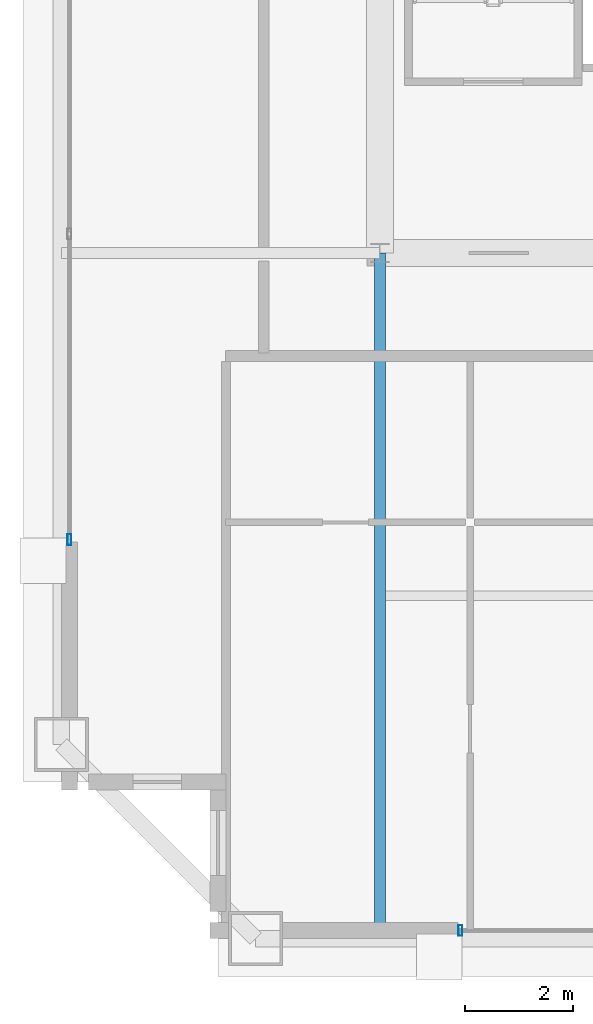
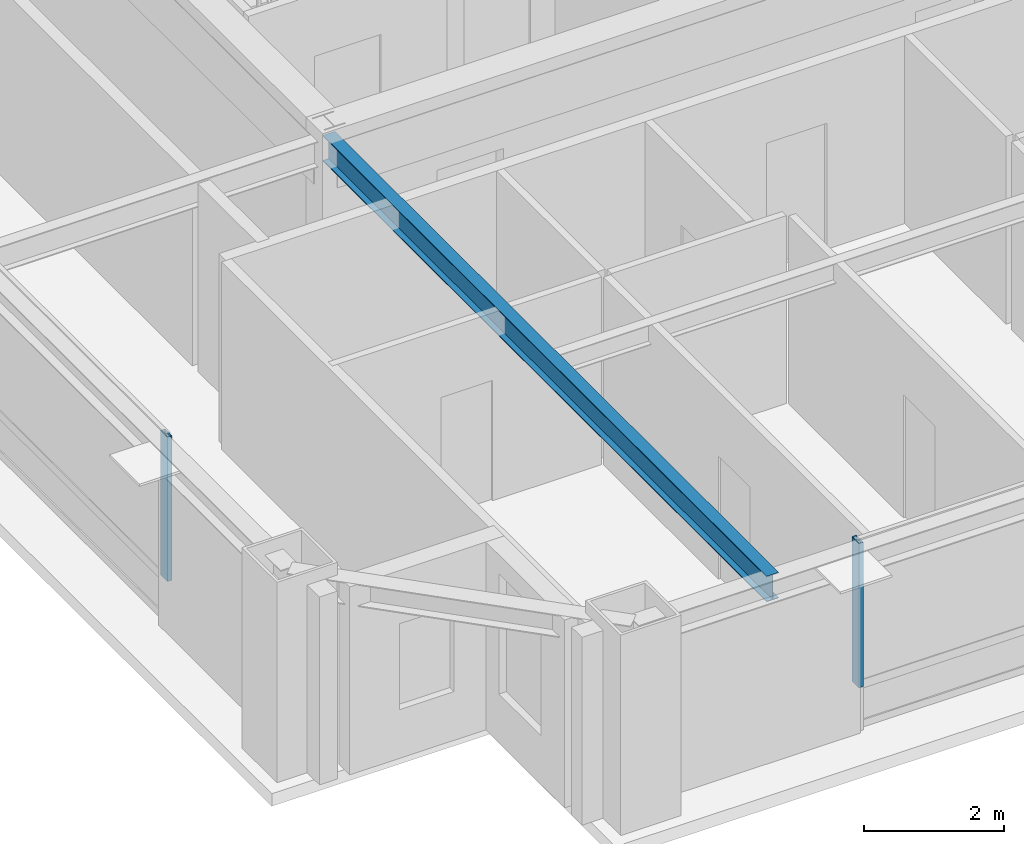
# One storey, part 4 of 35: 2 members, 1 beam, 2 elements without a shape of their own.
"""IFC4 building model written with IfcOpenShell, lengths in metres."""

from ifc_helpers import new_model, si_unit, direction, frame, origin, origin_2d, place, context, subcontext, project, spatial, hollow_rectangle, i_section, extrude, source, transform, mapped, material, layer, layer_set, material_profile, profile_set, type_object, element, aggregate, save


model = new_model("IFC4")

# Units and contexts
model_context = context("Model", 3, precision=1e-05, world=origin(), true_north=direction((0.0, 1.0)))
body_context = subcontext(model_context, "Body", "Model", "MODEL_VIEW")
ifc_project = project(units=[si_unit("LENGTHUNIT", "METRE"), si_unit("AREAUNIT", "SQUARE_METRE"), si_unit("VOLUMEUNIT", "CUBIC_METRE"), si_unit("PLANEANGLEUNIT", "RADIAN"), si_unit("MASSUNIT", "GRAM", prefix="KILO"), si_unit("THERMODYNAMICTEMPERATUREUNIT", "KELVIN"), si_unit("POWERUNIT", "WATT")], contexts=[model_context])

# Site, building, storey
site_placement = place(None, origin())
site = spatial("IfcSite", under=ifc_project, at=site_placement, CompositionType="ELEMENT")
building_placement = place(site_placement, origin())
building = spatial("IfcBuilding", under=site, at=building_placement, Name="Yuzanri Waterfront Tower", CompositionType="ELEMENT")
storey_placement = place(building_placement, frame((0.0, 0.0, 296.10009765625)))
storey = spatial("IfcBuildingStorey", under=building, at=storey_placement, Name="L79", CompositionType="ELEMENT", Elevation=296.10009765625)

# Beam
ifc_material_1 = material(Name="Steel Q355B", Category="steel")
ifc_material_profile_1 = material_profile(ifc_material_1, i_section(OverallWidth=0.199951171875, OverallDepth=0.449951171875, WebThickness=0.009033203125, FlangeThickness=0.013916015625, at=origin_2d()), Name="HN 450x200x9x14")
ifc_profile_set_1 = profile_set([ifc_material_profile_1], Name="Steel Q355B")
beam_type = type_object("IfcBeamType", Name="Secondary Floor Beam Q355B HN 450x200", PredefinedType="BEAM", material=ifc_profile_set_1)
shared_shape_1 = source(origin(), body_context, "Body", "SweptSolid", [
    extrude(i_section(OverallWidth=0.199951171875, OverallDepth=0.449951171875, WebThickness=0.009033203125, FlangeThickness=0.013916015625, at=origin_2d()), origin(), (0.0, 0.0, 1.0), 12.699951171875),
])
beam_placement = place(storey_placement, frame((23.800048828125, 19.39990234375, 3.054931640625), z_axis=(0.0, -1.0, 0.0), x_axis=(1.0, 0.0, 0.0)))
element("IfcBeam", 1, at=beam_placement, inside=storey, type_object=beam_type, Name="L79 South-West Core Line Beam", PredefinedType="BEAM", context=body_context, shape_type="MappedRepresentation", body=[
    mapped(shared_shape_1, transform((0.0, 0.0, 0.0), scale=1.0)),
])

# Curtain wall, member
ifc_material_2 = material(Name="Anodized Architectural Bronze", Category="metal")
ifc_layer = layer(ifc_material_2, 0.159912109375)
ifc_layer_set = layer_set([ifc_layer], Name="Anodized Architectural Bronze")
curtain_wall_type = type_object("IfcCurtainWallType", Name="Anodized Bronze High-Rise Penthouse High-Wind Unitized Curtain Wall 6900", PredefinedType="NOTDEFINED", material=ifc_layer_set)
curtain_wall_1_placement = place(storey_placement, origin())
curtain_wall_1 = element("IfcCurtainWall", 2, at=curtain_wall_1_placement, inside=storey, type_object=curtain_wall_type, Name="L79 Curtain Wall CW-L79-SL", PredefinedType="NOTDEFINED")
ifc_material_3 = material(Name="Anodized Architectural Bronze", Category="metal")
ifc_material_profile_2 = material_profile(ifc_material_3, hollow_rectangle(XDim=0.074951171875, YDim=0.199951171875, WallThickness=0.00390625, at=origin_2d()), Name="CWM 75x200")
ifc_profile_set_2 = profile_set([ifc_material_profile_2], Name="Anodized Architectural Bronze")
member_type = type_object("IfcMemberType", Name="Anodized Bronze Primary Curtain-Wall Mullion 75x200", PredefinedType="MULLION", material=ifc_profile_set_2)
shared_shape_2 = source(origin(), body_context, "Body", "SweptSolid", [
    extrude(hollow_rectangle(XDim=0.074951171875, YDim=0.199951171875, WallThickness=0.00390625, at=origin_2d()), origin(), (0.0, 0.0, 1.0), 2.52392578125),
])
member_1_placement = place(storey_placement, frame((25.2900390625, 6.85009765625, 0.755859375), z_axis=(0.0, 0.0, 1.0), x_axis=(1.0, 0.0, 0.0)))
member_1 = element("IfcMember", 3, at=member_1_placement, type_object=member_type, Name="CW-L79-SL Upper Mullion 00", PredefinedType="MULLION", context=body_context, shape_type="MappedRepresentation", body=[
    mapped(shared_shape_2, transform((0.0, 0.0, 0.0), scale=1.0)),
])
aggregate(curtain_wall_1, [member_1])

curtain_wall_2_placement = place(storey_placement, origin())
curtain_wall_2 = element("IfcCurtainWall", 4, at=curtain_wall_2_placement, inside=storey, type_object=curtain_wall_type, Name="L79 Curtain Wall CW-L79-WL", PredefinedType="NOTDEFINED")
member_2_placement = place(storey_placement, frame((18.050048828125, 14.090087890625, 0.755859375), z_axis=(0.0, 0.0, 1.0), x_axis=(1.0, 0.0, 0.0)))
member_2 = element("IfcMember", 5, at=member_2_placement, type_object=member_type, Name="CW-L79-WL Upper Mullion 00", PredefinedType="MULLION", context=body_context, shape_type="MappedRepresentation", body=[
    mapped(shared_shape_2, transform((0.0, 0.0, 0.0), scale=1.0)),
])
aggregate(curtain_wall_2, [member_2])

save(model, "model.ifc")
